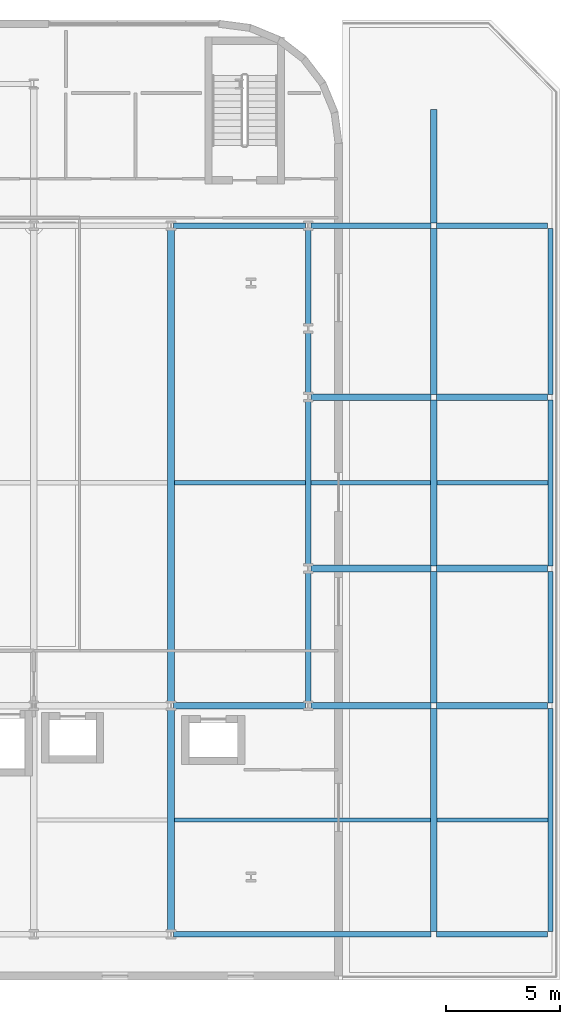
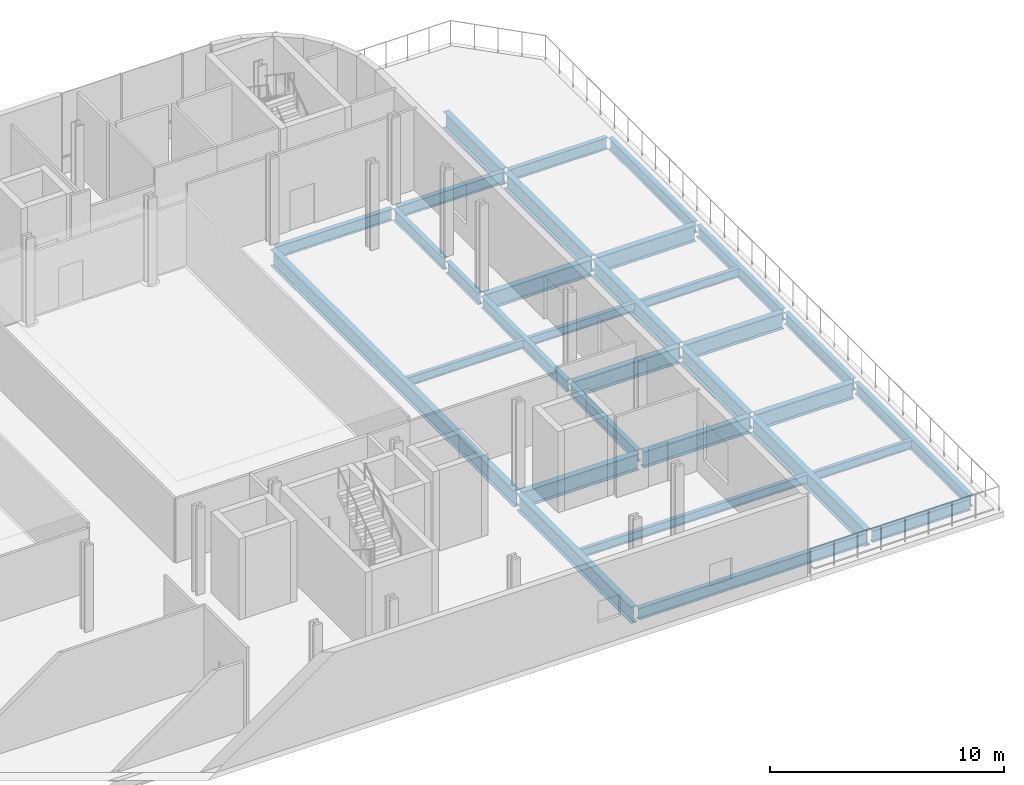
# One storey, part 11 of 26: 32 beams.
"""IFC4 building model written with IfcOpenShell, lengths in metres."""

from ifc_helpers import new_model, si_unit, direction, frame, origin, origin_2d, place, context, subcontext, project, spatial, i_section, extrude, material, material_profile, profile_set, type_object, element, save


model = new_model("IFC4")

# Units and contexts
model_context = context("Model", 3, precision=1e-05, world=origin(), true_north=direction((0.0, 1.0)))
body_context = subcontext(model_context, "Body", "Model", "MODEL_VIEW")
ifc_project = project(units=[si_unit("LENGTHUNIT", "METRE"), si_unit("AREAUNIT", "SQUARE_METRE"), si_unit("VOLUMEUNIT", "CUBIC_METRE"), si_unit("PLANEANGLEUNIT", "RADIAN"), si_unit("MASSUNIT", "GRAM", prefix="KILO")], contexts=[model_context])

# Site, building, storey
site_placement = place(None, origin())
site = spatial("IfcSite", under=ifc_project, at=site_placement, CompositionType="ELEMENT")
building_placement = place(site_placement, origin())
building = spatial("IfcBuilding", under=site, at=building_placement, Name="Brevholm Reach", CompositionType="ELEMENT")
storey_placement = place(building_placement, frame((0.0, 0.0, 18.0)))
storey = spatial("IfcBuildingStorey", under=building, at=storey_placement, Name="L04", CompositionType="ELEMENT", Elevation=18.0)

# Beams
ifc_material_1 = material(Name="Structural Steel S355J2", Category="steel")
ifc_material_profile_1 = material_profile(ifc_material_1, i_section(OverallWidth=0.1904296875, OverallDepth=0.45703125, WebThickness=0.009033203125, FlangeThickness=0.014404296875, FilletRadius=0.01025390625, at=origin_2d()), Name="UKB 457x191x74")
ifc_profile_set_1 = profile_set([ifc_material_profile_1], Name="Structural Steel S355J2")
beam_type_1 = type_object("IfcBeamType", Name="BM-B457", PredefinedType="BEAM", material=ifc_profile_set_1)
beam_1_placement = place(storey_placement, frame((54.14697265625, 5.0, -0.508544921875), z_axis=(1.0, 0.0, 0.0), x_axis=(0.0, 1.0, 0.0)))
element("IfcBeam", 1, at=beam_1_placement, inside=storey, type_object=beam_type_1, Name="L04 Composite Secondary Floor Beam", PredefinedType="BEAM", context=body_context, shape_type="SweptSolid", body=[
    extrude(i_section(OverallWidth=0.1904296875, OverallDepth=0.45703125, WebThickness=0.009033203125, FlangeThickness=0.014404296875, FilletRadius=0.01025390625, at=origin_2d()), origin(), (0.0, 0.0, 1.0), 11.2060546875),
])
beam_2_placement = place(storey_placement, frame((65.64697265625, 5.0, -0.508544921875), z_axis=(1.0, 0.0, 0.0), x_axis=(0.0, 1.0, 0.0)))
element("IfcBeam", 2, at=beam_2_placement, inside=storey, type_object=beam_type_1, Name="L04 Composite Secondary Floor Beam", PredefinedType="BEAM", context=body_context, shape_type="SweptSolid", body=[
    extrude(i_section(OverallWidth=0.1904296875, OverallDepth=0.45703125, WebThickness=0.009033203125, FlangeThickness=0.014404296875, FilletRadius=0.01025390625, at=origin_2d()), origin(), (0.0, 0.0, 1.0), 4.838623046875),
])
beam_3_placement = place(storey_placement, frame((54.14697265625, 19.75, -0.508544921875), z_axis=(1.0, 0.0, 0.0), x_axis=(0.0, 1.0, 0.0)))
element("IfcBeam", 3, at=beam_3_placement, inside=storey, type_object=beam_type_1, Name="L04 Composite Secondary Floor Beam", PredefinedType="BEAM", context=body_context, shape_type="SweptSolid", body=[
    extrude(i_section(OverallWidth=0.1904296875, OverallDepth=0.45703125, WebThickness=0.009033203125, FlangeThickness=0.014404296875, FilletRadius=0.01025390625, at=origin_2d()), origin(), (0.0, 0.0, 1.0), 5.738525390625),
])
beam_4_placement = place(storey_placement, frame((60.114501953125, 19.75, -0.508544921875), z_axis=(1.0, 0.0, 0.0), x_axis=(0.0, 1.0, 0.0)))
element("IfcBeam", 4, at=beam_4_placement, inside=storey, type_object=beam_type_1, Name="L04 Composite Secondary Floor Beam", PredefinedType="BEAM", context=body_context, shape_type="SweptSolid", body=[
    extrude(i_section(OverallWidth=0.1904296875, OverallDepth=0.45703125, WebThickness=0.009033203125, FlangeThickness=0.014404296875, FilletRadius=0.01025390625, at=origin_2d()), origin(), (0.0, 0.0, 1.0), 5.238525390625),
])
beam_5_placement = place(storey_placement, frame((65.64697265625, 19.75, -0.508544921875), z_axis=(1.0, 0.0, 0.0), x_axis=(0.0, 1.0, 0.0)))
element("IfcBeam", 5, at=beam_5_placement, inside=storey, type_object=beam_type_1, Name="L04 Composite Secondary Floor Beam", PredefinedType="BEAM", context=body_context, shape_type="SweptSolid", body=[
    extrude(i_section(OverallWidth=0.1904296875, OverallDepth=0.45703125, WebThickness=0.009033203125, FlangeThickness=0.014404296875, FilletRadius=0.01025390625, at=origin_2d()), origin(), (0.0, 0.0, 1.0), 4.838623046875),
])
ifc_material_2 = material(Name="Structural Steel S355J2", Category="steel")
ifc_material_profile_2 = material_profile(ifc_material_2, i_section(OverallWidth=0.22900390625, OverallDepth=0.6123046875, WebThickness=0.011962890625, FlangeThickness=0.01953125, FilletRadius=0.0126953125, at=origin_2d()), Name="UKB 610x229x125")
ifc_profile_set_2 = profile_set([ifc_material_profile_2], Name="Structural Steel S355J2")
beam_type_2 = type_object("IfcBeamType", Name="BM-SP610", PredefinedType="SPANDREL", material=ifc_profile_set_2)
beam_6_placement = place(storey_placement, frame((54.1201171875, 0.0, -0.586181640625), z_axis=(1.0, 0.0, 0.0), x_axis=(0.0, 1.0, 0.0)))
element("IfcBeam", 6, at=beam_6_placement, inside=storey, type_object=beam_type_2, Name="L04 SP-01 Framing Beam", PredefinedType="SPANDREL", context=body_context, shape_type="SweptSolid", body=[
    extrude(i_section(OverallWidth=0.22900390625, OverallDepth=0.6123046875, WebThickness=0.011962890625, FlangeThickness=0.01953125, FilletRadius=0.0126953125, at=origin_2d()), origin(), (0.0, 0.0, 1.0), 11.259765625),
])
beam_7_placement = place(storey_placement, frame((65.6201171875, 0.0, -0.586181640625), z_axis=(1.0, 0.0, 0.0), x_axis=(0.0, 1.0, 0.0)))
element("IfcBeam", 7, at=beam_7_placement, inside=storey, type_object=beam_type_2, Name="L04 SP-01 Framing Beam", PredefinedType="SPANDREL", context=body_context, shape_type="SweptSolid", body=[
    extrude(i_section(OverallWidth=0.22900390625, OverallDepth=0.6123046875, WebThickness=0.011962890625, FlangeThickness=0.01953125, FilletRadius=0.0126953125, at=origin_2d()), origin(), (0.0, 0.0, 1.0), 4.85986328125),
])
beam_8_placement = place(storey_placement, frame((54.1201171875, 31.0, -0.586181640625), z_axis=(1.0, 0.0, 0.0), x_axis=(0.0, 1.0, 0.0)))
element("IfcBeam", 8, at=beam_8_placement, inside=storey, type_object=beam_type_2, Name="L04 SP-01 Framing Beam", PredefinedType="SPANDREL", context=body_context, shape_type="SweptSolid", body=[
    extrude(i_section(OverallWidth=0.22900390625, OverallDepth=0.6123046875, WebThickness=0.011962890625, FlangeThickness=0.01953125, FilletRadius=0.0126953125, at=origin_2d()), origin(), (0.0, 0.0, 1.0), 5.759765625),
])
beam_9_placement = place(storey_placement, frame((60.1201171875, 31.0, -0.586181640625), z_axis=(1.0, 0.0, 0.0), x_axis=(0.0, 1.0, 0.0)))
element("IfcBeam", 9, at=beam_9_placement, inside=storey, type_object=beam_type_2, Name="L04 SP-01 Framing Beam", PredefinedType="SPANDREL", context=body_context, shape_type="SweptSolid", body=[
    extrude(i_section(OverallWidth=0.22900390625, OverallDepth=0.6123046875, WebThickness=0.011962890625, FlangeThickness=0.01953125, FilletRadius=0.0126953125, at=origin_2d()), origin(), (0.0, 0.0, 1.0), 5.259765625),
])
beam_10_placement = place(storey_placement, frame((65.6201171875, 31.0, -0.586181640625), z_axis=(1.0, 0.0, 0.0), x_axis=(0.0, 1.0, 0.0)))
element("IfcBeam", 10, at=beam_10_placement, inside=storey, type_object=beam_type_2, Name="L04 SP-01 Framing Beam", PredefinedType="SPANDREL", context=body_context, shape_type="SweptSolid", body=[
    extrude(i_section(OverallWidth=0.22900390625, OverallDepth=0.6123046875, WebThickness=0.011962890625, FlangeThickness=0.01953125, FilletRadius=0.0126953125, at=origin_2d()), origin(), (0.0, 0.0, 1.0), 4.85986328125),
])
beam_11_placement = place(storey_placement, frame((60.0, 10.1201171875, -0.586181640625), z_axis=(0.0, 1.0, 0.0), x_axis=(-1.0, 0.0, 0.0)))
element("IfcBeam", 11, at=beam_11_placement, inside=storey, type_object=beam_type_2, Name="L04 SP-01 Framing Beam", PredefinedType="SPANDREL", context=body_context, shape_type="SweptSolid", body=[
    extrude(i_section(OverallWidth=0.22900390625, OverallDepth=0.6123046875, WebThickness=0.011962890625, FlangeThickness=0.01953125, FilletRadius=0.0126953125, at=origin_2d()), origin(), (0.0, 0.0, 1.0), 5.759765625),
])
beam_12_placement = place(storey_placement, frame((60.0, 16.1201171875, -0.586181640625), z_axis=(0.0, 1.0, 0.0), x_axis=(-1.0, 0.0, 0.0)))
element("IfcBeam", 12, at=beam_12_placement, inside=storey, type_object=beam_type_2, Name="L04 SP-01 Framing Beam", PredefinedType="SPANDREL", context=body_context, shape_type="SweptSolid", body=[
    extrude(i_section(OverallWidth=0.22900390625, OverallDepth=0.6123046875, WebThickness=0.011962890625, FlangeThickness=0.01953125, FilletRadius=0.0126953125, at=origin_2d()), origin(), (0.0, 0.0, 1.0), 7.259765625),
])
beam_13_placement = place(storey_placement, frame((60.0, 23.6201171875, -0.586181640625), z_axis=(0.0, 1.0, 0.0), x_axis=(-1.0, 0.0, 0.0)))
element("IfcBeam", 13, at=beam_13_placement, inside=storey, type_object=beam_type_2, Name="L04 SP-01 Framing Beam", PredefinedType="SPANDREL", context=body_context, shape_type="SweptSolid", body=[
    extrude(i_section(OverallWidth=0.22900390625, OverallDepth=0.6123046875, WebThickness=0.011962890625, FlangeThickness=0.01953125, FilletRadius=0.0126953125, at=origin_2d()), origin(), (0.0, 0.0, 1.0), 2.759765625),
])
beam_14_placement = place(storey_placement, frame((60.0, 26.6201171875, -0.586181640625), z_axis=(0.0, 1.0, 0.0), x_axis=(-1.0, 0.0, 0.0)))
element("IfcBeam", 14, at=beam_14_placement, inside=storey, type_object=beam_type_2, Name="L04 SP-01 Framing Beam", PredefinedType="SPANDREL", context=body_context, shape_type="SweptSolid", body=[
    extrude(i_section(OverallWidth=0.22900390625, OverallDepth=0.6123046875, WebThickness=0.011962890625, FlangeThickness=0.01953125, FilletRadius=0.0126953125, at=origin_2d()), origin(), (0.0, 0.0, 1.0), 4.259765625),
])
beam_15_placement = place(storey_placement, frame((70.60009765625, 0.1201171875, -0.586181640625), z_axis=(0.0, 1.0, 0.0), x_axis=(-1.0, 0.0, 0.0)))
element("IfcBeam", 15, at=beam_15_placement, inside=storey, type_object=beam_type_2, Name="L04 SP-01 Framing Beam", PredefinedType="SPANDREL", context=body_context, shape_type="SweptSolid", body=[
    extrude(i_section(OverallWidth=0.22900390625, OverallDepth=0.6123046875, WebThickness=0.011962890625, FlangeThickness=0.01953125, FilletRadius=0.0126953125, at=origin_2d()), origin(), (0.0, 0.0, 1.0), 9.759765625),
])
beam_16_placement = place(storey_placement, frame((70.60009765625, 10.1201171875, -0.586181640625), z_axis=(0.0, 1.0, 0.0), x_axis=(-1.0, 0.0, 0.0)))
element("IfcBeam", 16, at=beam_16_placement, inside=storey, type_object=beam_type_2, Name="L04 SP-01 Framing Beam", PredefinedType="SPANDREL", context=body_context, shape_type="SweptSolid", body=[
    extrude(i_section(OverallWidth=0.22900390625, OverallDepth=0.6123046875, WebThickness=0.011962890625, FlangeThickness=0.01953125, FilletRadius=0.0126953125, at=origin_2d()), origin(), (0.0, 0.0, 1.0), 5.759765625),
])
for number, where, z_axis, x_axis, name in (
    (17, (70.60009765625, 16.1201171875, -0.586181640625), (0.0, 1.0, 0.0), (-1.0, 0.0, 0.0), "L04 SP-01 Framing Beam"),
    (18, (70.60009765625, 23.6201171875, -0.586181640625), (0.0, 1.0, 0.0), (-1.0, 0.0, 0.0), "L04 SP-01 Framing Beam"),
):
    element("IfcBeam", number, at=place(storey_placement, frame(where, z_axis=z_axis, x_axis=x_axis)), inside=storey, type_object=beam_type_2, Name=name, PredefinedType="SPANDREL", context=body_context, shape_type="SweptSolid", body=[
        extrude(i_section(OverallWidth=0.22900390625, OverallDepth=0.6123046875, WebThickness=0.011962890625, FlangeThickness=0.01953125, FilletRadius=0.0126953125, at=origin_2d()), origin(), (0.0, 0.0, 1.0), 7.259765625),
    ])
ifc_material_3 = material(Name="Structural Steel S355J2", Category="steel")
ifc_material_profile_3 = material_profile(ifc_material_3, i_section(OverallWidth=0.293701171875, OverallDepth=0.850830078125, WebThickness=0.01611328125, FlangeThickness=0.02685546875, FilletRadius=0.017822265625, at=origin_2d()), Name="UKB 838x292x226")
ifc_profile_set_3 = profile_set([ifc_material_profile_3], Name="Structural Steel S355J2")
beam_type_3 = type_object("IfcBeamType", Name="BM-UKB838", PredefinedType="USERDEFINED", material=ifc_profile_set_3)
beam_17_placement = place(storey_placement, frame((54.1201171875, 10.0, -0.70556640625), z_axis=(1.0, 0.0, 0.0), x_axis=(0.0, 1.0, 0.0)))
element("IfcBeam", 19, at=beam_17_placement, inside=storey, type_object=beam_type_3, Name="L04 G-03 Framing Beam", ObjectType="GIRDER", PredefinedType="USERDEFINED", context=body_context, shape_type="SweptSolid", body=[
    extrude(i_section(OverallWidth=0.293701171875, OverallDepth=0.850830078125, WebThickness=0.01611328125, FlangeThickness=0.02685546875, FilletRadius=0.017822265625, at=origin_2d()), origin(), (0.0, 0.0, 1.0), 5.759765625),
])
beam_18_placement = place(storey_placement, frame((60.1201171875, 10.0, -0.70556640625), z_axis=(1.0, 0.0, 0.0), x_axis=(0.0, 1.0, 0.0)))
element("IfcBeam", 20, at=beam_18_placement, inside=storey, type_object=beam_type_3, Name="L04 G-03 Framing Beam", ObjectType="GIRDER", PredefinedType="USERDEFINED", context=body_context, shape_type="SweptSolid", body=[
    extrude(i_section(OverallWidth=0.293701171875, OverallDepth=0.850830078125, WebThickness=0.01611328125, FlangeThickness=0.02685546875, FilletRadius=0.017822265625, at=origin_2d()), origin(), (0.0, 0.0, 1.0), 5.259765625),
])
beam_19_placement = place(storey_placement, frame((65.6201171875, 10.0, -0.70556640625), z_axis=(1.0, 0.0, 0.0), x_axis=(0.0, 1.0, 0.0)))
element("IfcBeam", 21, at=beam_19_placement, inside=storey, type_object=beam_type_3, Name="L04 G-03 Framing Beam", ObjectType="GIRDER", PredefinedType="USERDEFINED", context=body_context, shape_type="SweptSolid", body=[
    extrude(i_section(OverallWidth=0.293701171875, OverallDepth=0.850830078125, WebThickness=0.01611328125, FlangeThickness=0.02685546875, FilletRadius=0.017822265625, at=origin_2d()), origin(), (0.0, 0.0, 1.0), 4.85986328125),
])
beam_20_placement = place(storey_placement, frame((60.1201171875, 16.0, -0.70556640625), z_axis=(1.0, 0.0, 0.0), x_axis=(0.0, 1.0, 0.0)))
element("IfcBeam", 22, at=beam_20_placement, inside=storey, type_object=beam_type_3, Name="L04 G-03 Framing Beam", ObjectType="GIRDER", PredefinedType="USERDEFINED", context=body_context, shape_type="SweptSolid", body=[
    extrude(i_section(OverallWidth=0.293701171875, OverallDepth=0.850830078125, WebThickness=0.01611328125, FlangeThickness=0.02685546875, FilletRadius=0.017822265625, at=origin_2d()), origin(), (0.0, 0.0, 1.0), 5.259765625),
])
beam_21_placement = place(storey_placement, frame((65.6201171875, 16.0, -0.70556640625), z_axis=(1.0, 0.0, 0.0), x_axis=(0.0, 1.0, 0.0)))
element("IfcBeam", 23, at=beam_21_placement, inside=storey, type_object=beam_type_3, Name="L04 G-03 Framing Beam", ObjectType="GIRDER", PredefinedType="USERDEFINED", context=body_context, shape_type="SweptSolid", body=[
    extrude(i_section(OverallWidth=0.293701171875, OverallDepth=0.850830078125, WebThickness=0.01611328125, FlangeThickness=0.02685546875, FilletRadius=0.017822265625, at=origin_2d()), origin(), (0.0, 0.0, 1.0), 4.85986328125),
])
beam_22_placement = place(storey_placement, frame((60.1201171875, 23.5, -0.70556640625), z_axis=(1.0, 0.0, 0.0), x_axis=(0.0, 1.0, 0.0)))
element("IfcBeam", 24, at=beam_22_placement, inside=storey, type_object=beam_type_3, Name="L04 G-03 Framing Beam", ObjectType="GIRDER", PredefinedType="USERDEFINED", context=body_context, shape_type="SweptSolid", body=[
    extrude(i_section(OverallWidth=0.293701171875, OverallDepth=0.850830078125, WebThickness=0.01611328125, FlangeThickness=0.02685546875, FilletRadius=0.017822265625, at=origin_2d()), origin(), (0.0, 0.0, 1.0), 5.259765625),
])
beam_23_placement = place(storey_placement, frame((65.6201171875, 23.5, -0.70556640625), z_axis=(1.0, 0.0, 0.0), x_axis=(0.0, 1.0, 0.0)))
element("IfcBeam", 25, at=beam_23_placement, inside=storey, type_object=beam_type_3, Name="L04 G-03 Framing Beam", ObjectType="GIRDER", PredefinedType="USERDEFINED", context=body_context, shape_type="SweptSolid", body=[
    extrude(i_section(OverallWidth=0.293701171875, OverallDepth=0.850830078125, WebThickness=0.01611328125, FlangeThickness=0.02685546875, FilletRadius=0.017822265625, at=origin_2d()), origin(), (0.0, 0.0, 1.0), 4.85986328125),
])
beam_24_placement = place(storey_placement, frame((54.0, 0.1201171875, -0.70556640625), z_axis=(0.0, 1.0, 0.0), x_axis=(-1.0, 0.0, 0.0)))
element("IfcBeam", 26, at=beam_24_placement, inside=storey, type_object=beam_type_3, Name="L04 G-03 Framing Beam", ObjectType="GIRDER", PredefinedType="USERDEFINED", context=body_context, shape_type="SweptSolid", body=[
    extrude(i_section(OverallWidth=0.293701171875, OverallDepth=0.850830078125, WebThickness=0.01611328125, FlangeThickness=0.02685546875, FilletRadius=0.017822265625, at=origin_2d()), origin(), (0.0, 0.0, 1.0), 9.759765625),
])
beam_25_placement = place(storey_placement, frame((54.0, 10.1201171875, -0.70556640625), z_axis=(0.0, 1.0, 0.0), x_axis=(-1.0, 0.0, 0.0)))
element("IfcBeam", 27, at=beam_25_placement, inside=storey, type_object=beam_type_3, Name="L04 G-03 Framing Beam", ObjectType="GIRDER", PredefinedType="USERDEFINED", context=body_context, shape_type="SweptSolid", body=[
    extrude(i_section(OverallWidth=0.293701171875, OverallDepth=0.850830078125, WebThickness=0.01611328125, FlangeThickness=0.02685546875, FilletRadius=0.017822265625, at=origin_2d()), origin(), (0.0, 0.0, 1.0), 20.759765625),
])
beam_26_placement = place(storey_placement, frame((65.5, 0.1201171875, -0.70556640625), z_axis=(0.0, 1.0, 0.0), x_axis=(-1.0, 0.0, 0.0)))
element("IfcBeam", 28, at=beam_26_placement, inside=storey, type_object=beam_type_3, Name="L04 G-03 Framing Beam", ObjectType="GIRDER", PredefinedType="USERDEFINED", context=body_context, shape_type="SweptSolid", body=[
    extrude(i_section(OverallWidth=0.293701171875, OverallDepth=0.850830078125, WebThickness=0.01611328125, FlangeThickness=0.02685546875, FilletRadius=0.017822265625, at=origin_2d()), origin(), (0.0, 0.0, 1.0), 9.759765625),
])
beam_27_placement = place(storey_placement, frame((65.5, 10.1201171875, -0.70556640625), z_axis=(0.0, 1.0, 0.0), x_axis=(-1.0, 0.0, 0.0)))
element("IfcBeam", 29, at=beam_27_placement, inside=storey, type_object=beam_type_3, Name="L04 G-03 Framing Beam", ObjectType="GIRDER", PredefinedType="USERDEFINED", context=body_context, shape_type="SweptSolid", body=[
    extrude(i_section(OverallWidth=0.293701171875, OverallDepth=0.850830078125, WebThickness=0.01611328125, FlangeThickness=0.02685546875, FilletRadius=0.017822265625, at=origin_2d()), origin(), (0.0, 0.0, 1.0), 5.759765625),
])
for number, where, z_axis, x_axis, name in (
    (30, (65.5, 16.1201171875, -0.70556640625), (0.0, 1.0, 0.0), (-1.0, 0.0, 0.0), "L04 G-03 Framing Beam"),
    (31, (65.5, 23.6201171875, -0.70556640625), (0.0, 1.0, 0.0), (-1.0, 0.0, 0.0), "L04 G-03 Framing Beam"),
):
    element("IfcBeam", number, at=place(storey_placement, frame(where, z_axis=z_axis, x_axis=x_axis)), inside=storey, type_object=beam_type_3, Name=name, ObjectType="GIRDER", PredefinedType="USERDEFINED", context=body_context, shape_type="SweptSolid", body=[
        extrude(i_section(OverallWidth=0.293701171875, OverallDepth=0.850830078125, WebThickness=0.01611328125, FlangeThickness=0.02685546875, FilletRadius=0.017822265625, at=origin_2d()), origin(), (0.0, 0.0, 1.0), 7.259765625),
    ])
beam_28_placement = place(storey_placement, frame((65.5, 31.1201171875, -0.70556640625), z_axis=(0.0, 1.0, 0.0), x_axis=(-1.0, 0.0, 0.0)))
element("IfcBeam", 32, at=beam_28_placement, inside=storey, type_object=beam_type_3, Name="L04 G-03 Framing Beam", ObjectType="GIRDER", PredefinedType="USERDEFINED", context=body_context, shape_type="SweptSolid", body=[
    extrude(i_section(OverallWidth=0.293701171875, OverallDepth=0.850830078125, WebThickness=0.01611328125, FlangeThickness=0.02685546875, FilletRadius=0.017822265625, at=origin_2d()), origin(), (0.0, 0.0, 1.0), 4.9599609375),
])

save(model, "model.ifc")
